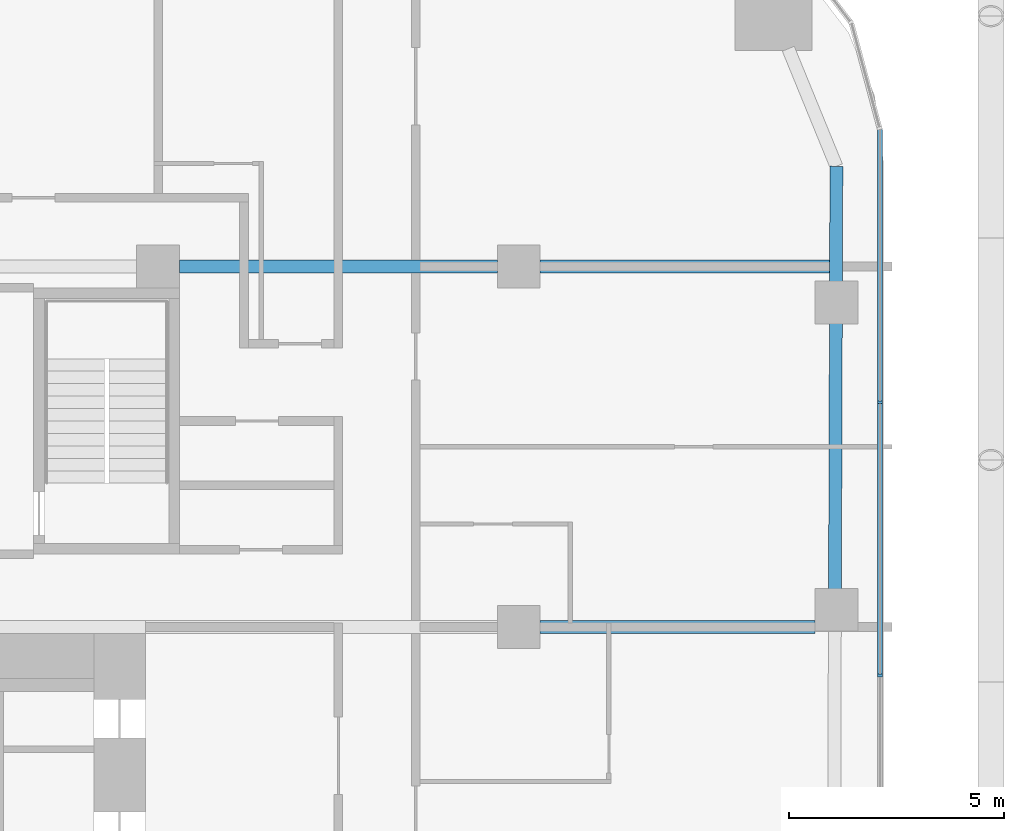
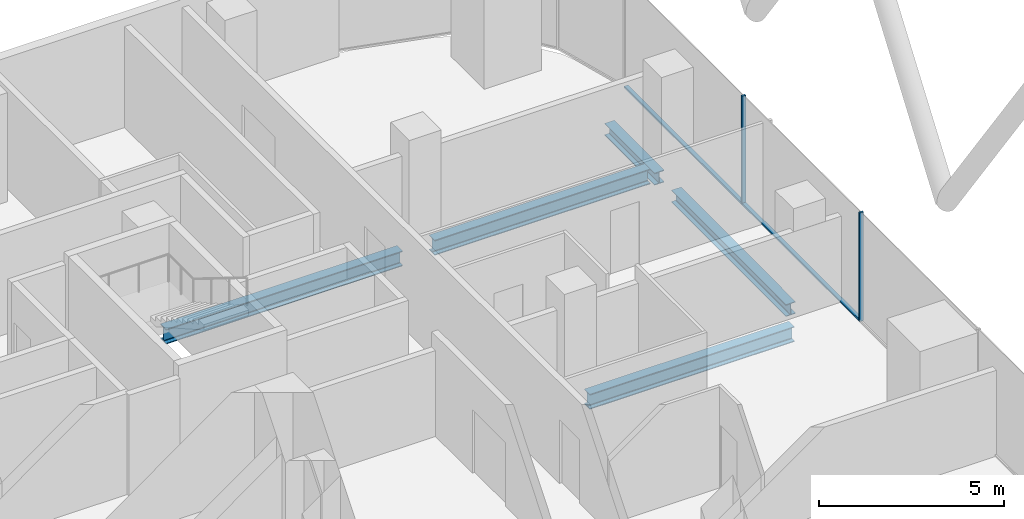
# One storey, part 12 of 34: 5 beams, 4 members, 1 element without a shape of its own.
"""IFC4 building model written with IfcOpenShell, lengths in metres."""

from ifc_helpers import new_model, si_unit, direction, frame, origin, origin_2d, place, context, subcontext, project, spatial, rectangle, i_section, extrude, material, layer, layer_set, material_profile, profile_set, type_object, element, aggregate, save


model = new_model("IFC4")

# Units and contexts
model_context = context("Model", 3, precision=1e-05, world=origin(), true_north=direction((0.0, 1.0)))
body_context = subcontext(model_context, "Body", "Model", "MODEL_VIEW")
ifc_project = project(units=[si_unit("LENGTHUNIT", "METRE"), si_unit("AREAUNIT", "SQUARE_METRE"), si_unit("VOLUMEUNIT", "CUBIC_METRE"), si_unit("PLANEANGLEUNIT", "RADIAN"), si_unit("MASSUNIT", "GRAM", prefix="KILO")], contexts=[model_context])

# Site, building, storey
site_placement = place(None, origin())
site = spatial("IfcSite", under=ifc_project, at=site_placement, CompositionType="ELEMENT")
building_placement = place(site_placement, origin())
building = spatial("IfcBuilding", under=site, at=building_placement, Name="Marenta Gate Hotel Tower", CompositionType="ELEMENT")
storey_placement = place(building_placement, frame((0.0, 0.0, 76.10009765625)))
storey = spatial("IfcBuildingStorey", under=building, at=storey_placement, Name="L17", CompositionType="ELEMENT", Elevation=76.10009765625)

# Beams
ifc_material_1 = material(Name="Steel S355", Category="steel")
ifc_material_profile_1 = material_profile(ifc_material_1, i_section(OverallWidth=0.300048828125, OverallDepth=0.39990234375, WebThickness=0.013427734375, FlangeThickness=0.02392578125, FilletRadius=0.027099609375, at=origin_2d()), Name="HEB 400")
ifc_profile_set_1 = profile_set([ifc_material_profile_1], Name="Steel S355")
beam_type_1 = type_object("IfcBeamType", Name="Edge beam HEB 400", PredefinedType="SPANDREL", material=ifc_profile_set_1)
beam_1_placement = place(storey_placement, frame((28.39990234375, 27.534423828125, -0.460205078125), z_axis=(-0.003323434444, -0.999994477376, 0.0), x_axis=(0.999994477376, -0.003323434444, 0.0)))
element("IfcBeam", 1, at=beam_1_placement, inside=storey, type_object=beam_type_1, Name="L17-EB-22", PredefinedType="SPANDREL", context=body_context, shape_type="SweptSolid", body=[
    extrude(i_section(OverallWidth=0.300048828125, OverallDepth=0.39990234375, WebThickness=0.013427734375, FlangeThickness=0.02392578125, FilletRadius=0.027099609375, at=origin_2d()), origin(), (0.0, 0.0, 1.0), 2.718017578125),
])
beam_2_placement = place(storey_placement, frame((28.387939453125, 23.896484375, -0.460205078125), z_axis=(-0.003329137121, -0.999994458408, 0.0), x_axis=(0.999994458408, -0.003329137121, 0.0)))
element("IfcBeam", 2, at=beam_2_placement, inside=storey, type_object=beam_type_1, Name="L17-EB-23", PredefinedType="SPANDREL", context=body_context, shape_type="SweptSolid", body=[
    extrude(i_section(OverallWidth=0.300048828125, OverallDepth=0.39990234375, WebThickness=0.013427734375, FlangeThickness=0.02392578125, FilletRadius=0.027099609375, at=origin_2d()), origin(), (0.0, 0.0, 1.0), 6.2333984375),
])
ifc_material_2 = material(Name="Steel S355", Category="steel")
ifc_material_profile_2 = material_profile(ifc_material_2, i_section(OverallWidth=0.300048828125, OverallDepth=0.5, WebThickness=0.014404296875, FlangeThickness=0.028076171875, FilletRadius=0.027099609375, at=origin_2d()), Name="HEB 500")
ifc_profile_set_2 = profile_set([ifc_material_profile_2], Name="Steel S355")
beam_type_2 = type_object("IfcBeamType", Name="Girder HEB 500", PredefinedType="BEAM", material=ifc_profile_set_2)
beam_3_placement = place(storey_placement, frame((21.5, 16.800048828125, -0.510009765625), z_axis=(1.0, 0.0, 0.0), x_axis=(0.0, 1.0, 0.0)))
element("IfcBeam", 3, at=beam_3_placement, inside=storey, type_object=beam_type_2, Name="L17-GD-21", PredefinedType="BEAM", context=body_context, shape_type="SweptSolid", body=[
    extrude(i_section(OverallWidth=0.300048828125, OverallDepth=0.5, WebThickness=0.014404296875, FlangeThickness=0.028076171875, FilletRadius=0.027099609375, at=origin_2d()), origin(), (0.0, 0.0, 1.0), 6.39990234375),
])
beam_4_placement = place(storey_placement, frame((13.10009765625, 25.199951171875, -0.510009765625), z_axis=(1.0, 0.0, 0.0), x_axis=(0.0, 1.0, 0.0)))
element("IfcBeam", 4, at=beam_4_placement, inside=storey, type_object=beam_type_2, Name="L17-GD-27", PredefinedType="BEAM", context=body_context, shape_type="SweptSolid", body=[
    extrude(i_section(OverallWidth=0.300048828125, OverallDepth=0.5, WebThickness=0.014404296875, FlangeThickness=0.028076171875, FilletRadius=0.027099609375, at=origin_2d()), origin(), (0.0, 0.0, 1.0), 7.39990234375),
])
beam_5_placement = place(storey_placement, frame((21.5, 25.199951171875, -0.510009765625), z_axis=(1.0, 0.0, 0.0), x_axis=(0.0, 1.0, 0.0)))
element("IfcBeam", 5, at=beam_5_placement, inside=storey, type_object=beam_type_2, Name="L17-GD-28", PredefinedType="BEAM", context=body_context, shape_type="SweptSolid", body=[
    extrude(i_section(OverallWidth=0.300048828125, OverallDepth=0.5, WebThickness=0.014404296875, FlangeThickness=0.028076171875, FilletRadius=0.027099609375, at=origin_2d()), origin(), (0.0, 0.0, 1.0), 6.7421875),
])

# Curtain wall, members
ifc_material_3 = material(Name="Tinted insulated glass in bronze anodised frame", Category="glass")
ifc_layer = layer(ifc_material_3, 0.1201171875)
ifc_layer_set = layer_set([ifc_layer], Name="Tinted insulated glass in bronze anodised frame")
curtain_wall_type = type_object("IfcCurtainWallType", Name="Tower unitised curtain wall CW1", PredefinedType="NOTDEFINED", material=ifc_layer_set)
curtain_wall_placement = place(storey_placement, origin())
curtain_wall = element("IfcCurtainWall", 6, at=curtain_wall_placement, inside=storey, type_object=curtain_wall_type, Name="CW1 run G18", PredefinedType="NOTDEFINED")
ifc_material_4 = material(Name="Bronze anodised aluminium", Category="aluminium")
ifc_material_profile_3 = material_profile(ifc_material_4, rectangle(XDim=0.1201171875, YDim=0.06005859375, at=origin_2d()), Name="Mullion CW1 60x120 bronze anodised aluminium")
ifc_profile_set_3 = profile_set([ifc_material_profile_3], Name="Bronze anodised aluminium")
member_type_1 = type_object("IfcMemberType", Name="Mullion CW1 60x120 bronze anodised aluminium", PredefinedType="MULLION", material=ifc_profile_set_3)
member_1_placement = place(storey_placement, frame((29.4140625, 15.671875, 0.0), z_axis=(0.0, 0.0, 1.0), x_axis=(-1.0, 0.0, 0.0)))
member_1 = element("IfcMember", 7, at=member_1_placement, type_object=member_type_1, Name="CW1 mullion 5", PredefinedType="MULLION", context=body_context, shape_type="SweptSolid", body=[
    extrude(rectangle(XDim=0.1201171875, YDim=0.06005859375, at=origin_2d()), origin(), (0.0, 0.0, 1.0), 3.599853515625),
])
member_2_placement = place(storey_placement, frame((29.4140625, 22.031982421875, 0.0), z_axis=(0.0, 0.0, 1.0), x_axis=(-1.0, 0.0, 0.0)))
member_2 = element("IfcMember", 8, at=member_2_placement, type_object=member_type_1, Name="CW1 mullion 6", PredefinedType="MULLION", context=body_context, shape_type="SweptSolid", body=[
    extrude(rectangle(XDim=0.1201171875, YDim=0.06005859375, at=origin_2d()), origin(), (0.0, 0.0, 1.0), 3.599853515625),
])
ifc_material_5 = material(Name="Bronze anodised aluminium", Category="aluminium")
ifc_material_profile_4 = material_profile(ifc_material_5, rectangle(XDim=0.1201171875, YDim=0.06005859375, at=origin_2d()), Name="Transom CW1 60x120 bronze anodised aluminium")
ifc_profile_set_4 = profile_set([ifc_material_profile_4], Name="Bronze anodised aluminium")
member_type_2 = type_object("IfcMemberType", Name="Transom CW1 60x120 bronze anodised aluminium", PredefinedType="USERDEFINED", material=ifc_profile_set_4)
member_3_placement = place(storey_placement, frame((29.4140625, 15.701904296875, 0.02978515625), z_axis=(0.0, 1.0, 0.0), x_axis=(-1.0, 0.0, 0.0)))
member_3 = element("IfcMember", 9, at=member_3_placement, type_object=member_type_2, Name="CW1 transom 5.1", ObjectType="TRANSOM", PredefinedType="USERDEFINED", context=body_context, shape_type="SweptSolid", body=[
    extrude(rectangle(XDim=0.1201171875, YDim=0.06005859375, at=origin_2d()), origin(), (0.0, 0.0, 1.0), 6.300048828125),
])
member_4_placement = place(storey_placement, frame((29.4140625, 22.06201171875, 0.02978515625), z_axis=(0.0, 1.0, 0.0), x_axis=(-1.0, 0.0, 0.0)))
member_4 = element("IfcMember", 10, at=member_4_placement, type_object=member_type_2, Name="CW1 transom 6.1", ObjectType="TRANSOM", PredefinedType="USERDEFINED", context=body_context, shape_type="SweptSolid", body=[
    extrude(rectangle(XDim=0.1201171875, YDim=0.06005859375, at=origin_2d()), origin(), (0.0, 0.0, 1.0), 6.329833984375),
])
aggregate(curtain_wall, [member_1, member_2, member_3, member_4])

save(model, "model.ifc")
